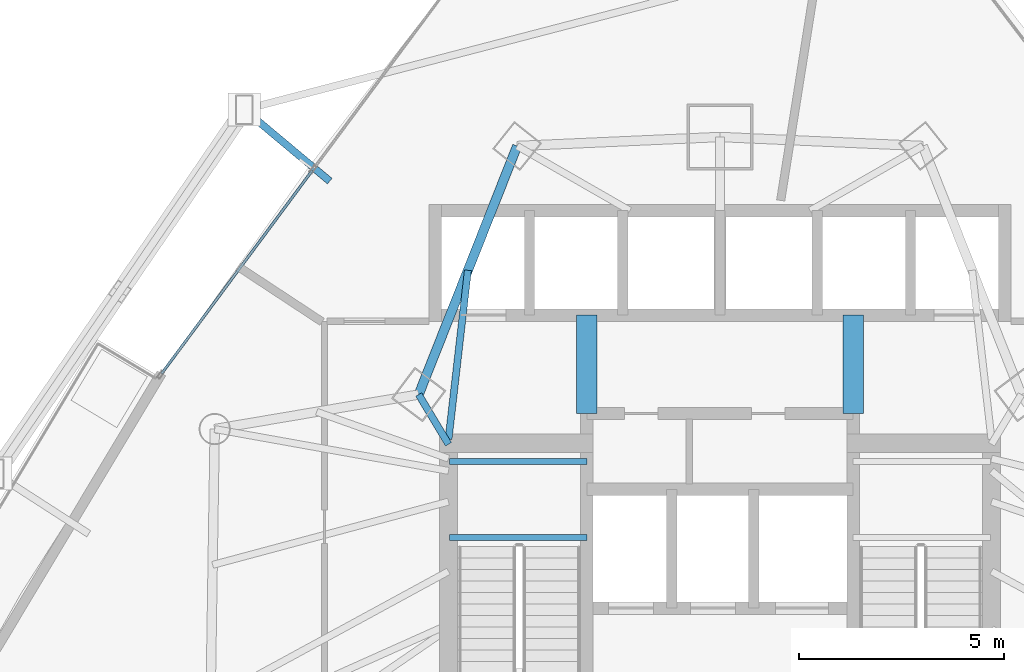
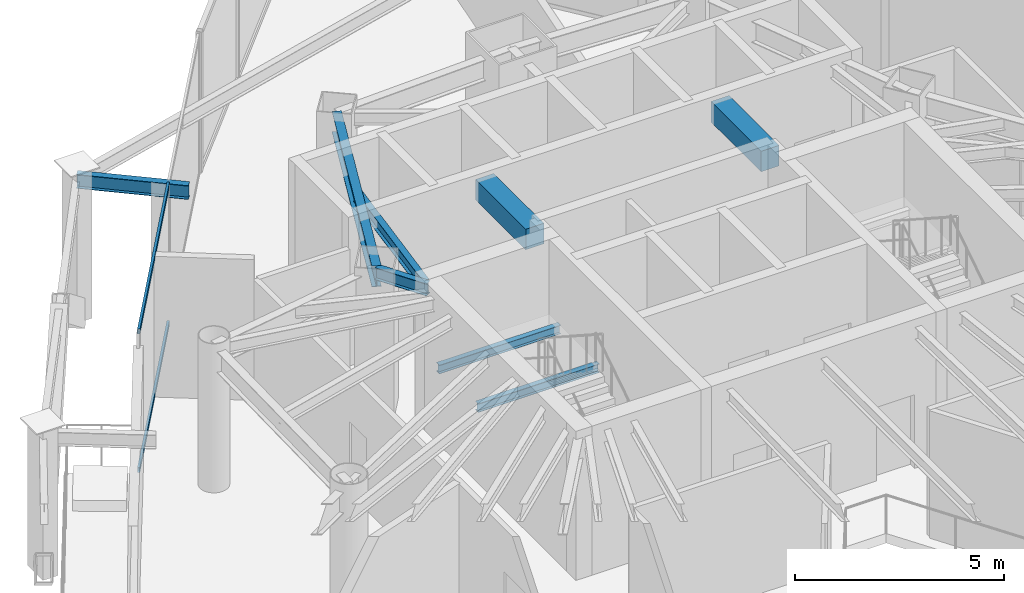
# One storey, part 20 of 33: 8 beams, 2 members, 1 element without a shape of its own.
"""IFC4 building model written with IfcOpenShell, lengths in metres."""

from ifc_helpers import new_model, si_unit, direction, frame, origin, origin_2d, place, context, subcontext, project, spatial, rectangle, hollow_rectangle, i_section, extrude, material, layer, layer_set, material_profile, profile_set, type_object, element, aggregate, save


model = new_model("IFC4")

# Units and contexts
model_context = context("Model", 3, precision=1e-05, world=origin(), true_north=direction((0.0, 1.0)))
body_context = subcontext(model_context, "Body", "Model", "MODEL_VIEW")
ifc_project = project(units=[si_unit("LENGTHUNIT", "METRE"), si_unit("AREAUNIT", "SQUARE_METRE"), si_unit("VOLUMEUNIT", "CUBIC_METRE"), si_unit("PLANEANGLEUNIT", "RADIAN"), si_unit("MASSUNIT", "GRAM", prefix="KILO")], contexts=[model_context])

# Site, building, storey
site_placement = place(None, origin())
site = spatial("IfcSite", under=ifc_project, at=site_placement, CompositionType="ELEMENT")
building_placement = place(site_placement, origin())
building = spatial("IfcBuilding", under=site, at=building_placement, Name="Orvanel Arch Residences", CompositionType="ELEMENT")
storey_placement = place(building_placement, frame((0.0, 0.0, 59.89990234375)))
storey = spatial("IfcBuildingStorey", under=building, at=storey_placement, Name="L16", CompositionType="ELEMENT", Elevation=59.89990234375)

# Beams
ifc_material_1 = material(Name="Structural steel AS/NZS 3679.1 Grade 300 (300 MPa)", Category="steel")
ifc_material_profile_1 = material_profile(ifc_material_1, i_section(OverallWidth=0.14599609375, OverallDepth=0.251953125, WebThickness=0.006103515625, FlangeThickness=0.008544921875, at=origin_2d()), Name="250UB31.4")
ifc_profile_set_1 = profile_set([ifc_material_profile_1], Name="Structural steel AS/NZS 3679.1 Grade 300 (300 MPa)")
beam_type_1 = type_object("IfcBeamType", Name="BJ-250UB", PredefinedType="JOIST", material=ifc_profile_set_1)
for number, where, z_axis, x_axis, name in (
    (1, (26.39990234375, 31.6201171875, 1.84912109375), (1.0, 0.0, 0.0), (0.0, 1.0, 0.0), "L16 ST-1 Half-Landing Support Beam 1.1"),
    (2, (26.39990234375, 33.47998046875, 1.84912109375), (1.0, 0.0, 0.0), (0.0, 1.0, 0.0), "L16 ST-1 Half-Landing Support Beam 1.2"),
):
    element("IfcBeam", number, at=place(storey_placement, frame(where, z_axis=z_axis, x_axis=x_axis)), inside=storey, type_object=beam_type_1, Name=name, PredefinedType="JOIST", context=body_context, shape_type="SweptSolid", body=[
        extrude(i_section(OverallWidth=0.14599609375, OverallDepth=0.251953125, WebThickness=0.006103515625, FlangeThickness=0.008544921875, at=origin_2d()), origin(), (0.0, 0.0, 1.0), 3.35009765625),
    ])
ifc_material_profile_2 = material_profile(ifc_material_1, i_section(OverallWidth=0.1708984375, OverallDepth=0.35595703125, WebThickness=0.00732421875, FlangeThickness=0.011474609375, at=origin_2d()), Name="360UB50.7")
ifc_profile_set_2 = profile_set([ifc_material_profile_2], Name="Structural steel AS/NZS 3679.1 Grade 300 (300 MPa)")
beam_type_2 = type_object("IfcBeamType", Name="BJ-360UB", PredefinedType="JOIST", material=ifc_profile_set_2)
beam_1_placement = place(storey_placement, frame((26.375, 33.89990234375, 3.93212890625), z_axis=(-0.514064138778, 0.857751748015, 0.0), x_axis=(-0.857751748015, -0.514064138778, 0.0)))
element("IfcBeam", 3, at=beam_1_placement, inside=storey, type_object=beam_type_2, Name="L16 NNW Wing Floor Joist", PredefinedType="JOIST", context=body_context, shape_type="SweptSolid", body=[
    extrude(i_section(OverallWidth=0.1708984375, OverallDepth=0.35595703125, WebThickness=0.00732421875, FlangeThickness=0.011474609375, at=origin_2d()), origin(), (0.0, 0.0, 1.0), 1.414306640625),
])
beam_2_placement = place(storey_placement, frame((26.375, 34.02001953125, 3.93212890625), z_axis=(0.114186670431, 0.993459311847, 0.0), x_axis=(-0.993459311847, 0.114186670431, 0.0)))
element("IfcBeam", 4, at=beam_2_placement, inside=storey, type_object=beam_type_2, Name="L16 NNW2 Wing Floor Joist", PredefinedType="JOIST", context=body_context, shape_type="SweptSolid", body=[
    extrude(i_section(OverallWidth=0.1708984375, OverallDepth=0.35595703125, WebThickness=0.00732421875, FlangeThickness=0.011474609375, at=origin_2d()), origin(), (0.0, 0.0, 1.0), 4.152099609375),
])
ifc_material_2 = material(Name="Concrete S65 (65 MPa)", Category="concrete")
ifc_material_profile_3 = material_profile(ifc_material_2, rectangle(XDim=0.5, YDim=0.60009765625, at=origin_2d()), Name="RC500x600")
ifc_profile_set_3 = profile_set([ifc_material_profile_3], Name="Concrete S65 (65 MPa)")
beam_type_3 = type_object("IfcBeamType", Name="CB-500x600", PredefinedType="LINTEL", material=ifc_profile_set_3)
for number, where, z_axis, x_axis, name in (
    (5, (29.75, 34.64990234375, 3.81005859375), (0.0, 1.0, 0.0), (-1.0, 0.0, 0.0), "L16 West Core Lobby Coupling Lintel Beam"),
    (6, (36.25, 34.64990234375, 3.81005859375), (0.0, 1.0, 0.0), (-1.0, 0.0, 0.0), "L16 East Core Lobby Coupling Lintel Beam"),
):
    element("IfcBeam", number, at=place(storey_placement, frame(where, z_axis=z_axis, x_axis=x_axis)), inside=storey, type_object=beam_type_3, Name=name, PredefinedType="LINTEL", context=body_context, shape_type="SweptSolid", body=[
        extrude(rectangle(XDim=0.5, YDim=0.60009765625, at=origin_2d()), origin(), (0.0, 0.0, 1.0), 2.400146484375),
    ])
ifc_material_profile_4 = material_profile(ifc_material_1, i_section(OverallWidth=0.177978515625, OverallDepth=0.406005859375, WebThickness=0.0078125, FlangeThickness=0.0126953125, at=origin_2d()), Name="410UB59.7")
ifc_profile_set_4 = profile_set([ifc_material_profile_4], Name="Structural steel AS/NZS 3679.1 Grade 300 (300 MPa)")
beam_type_4 = type_object("IfcBeamType", Name="OB-410UB-EXT", PredefinedType="SPANDREL", material=ifc_profile_set_4)
beam_3_placement = place(storey_placement, frame((23.47607421875, 40.321044921875, 3.906982421875), z_axis=(-0.766703204027, 0.642001711006, 0.0), x_axis=(-0.642001711006, -0.766703204027, 0.0)))
element("IfcBeam", 7, at=beam_3_placement, inside=storey, type_object=beam_type_4, Name="L16 Outer Frame Radial Tie Beam 01", PredefinedType="SPANDREL", context=body_context, shape_type="SweptSolid", body=[
    extrude(i_section(OverallWidth=0.177978515625, OverallDepth=0.406005859375, WebThickness=0.0078125, FlangeThickness=0.0126953125, at=origin_2d()), origin(), (0.0, 0.0, 1.0), 2.719482421875),
])
ifc_material_profile_5 = material_profile(ifc_material_1, i_section(OverallWidth=0.22900390625, OverallDepth=0.612060546875, WebThickness=0.011962890625, FlangeThickness=0.01953125, at=origin_2d()), Name="610UB125")
ifc_profile_set_5 = profile_set([ifc_material_profile_5], Name="Structural steel AS/NZS 3679.1 Grade 300 (300 MPa)")
beam_type_5 = type_object("IfcBeamType", Name="SP-610UB", PredefinedType="SPANDREL", material=ifc_profile_set_5)
beam_4_placement = place(storey_placement, frame((28.050048828125, 41.177978515625, 3.80419921875), z_axis=(-0.368233143579, -0.929733484376, 0.0), x_axis=(0.929733484376, -0.368233143579, 0.0)))
element("IfcBeam", 8, at=beam_4_placement, inside=storey, type_object=beam_type_5, Name="L16 Perimeter Spandrel Beam 18", PredefinedType="SPANDREL", context=body_context, shape_type="SweptSolid", body=[
    extrude(i_section(OverallWidth=0.22900390625, OverallDepth=0.612060546875, WebThickness=0.011962890625, FlangeThickness=0.01953125, at=origin_2d()), origin(), (0.0, 0.0, 1.0), 6.523193359375),
])

# Curtain wall, members
ifc_material_3 = material(Name="Bronze-anodised aluminium AA6063-T6", Category="aluminium")
ifc_layer = layer(ifc_material_3, 0.195068359375)
ifc_layer_set = layer_set([ifc_layer], Name="Bronze-anodised aluminium AA6063-T6")
curtain_wall_type = type_object("IfcCurtainWallType", Name="CW6-COM-SYS", PredefinedType="NOTDEFINED", material=ifc_layer_set)
curtain_wall_placement = place(storey_placement, origin())
curtain_wall = element("IfcCurtainWall", 9, at=curtain_wall_placement, inside=storey, type_object=curtain_wall_type, Name="L16 CW6-COM-SYS Unitised Curtain Wall", PredefinedType="NOTDEFINED")
ifc_material_profile_6 = material_profile(ifc_material_3, hollow_rectangle(XDim=0.06494140625, YDim=0.14990234375, WallThickness=0.00390625, at=origin_2d()), Name="ALU150x65x4")
ifc_profile_set_6 = profile_set([ifc_material_profile_6], Name="Bronze-anodised aluminium AA6063-T6")
member_type = type_object("IfcMemberType", Name="TRN-150x65", PredefinedType="USERDEFINED", material=ifc_profile_set_6)
member_1_placement = place(storey_placement, frame((23.048095703125, 40.577392578125, 0.03271484375), z_axis=(-0.595759597122, -0.803162811911, 0.0), x_axis=(0.803162811911, -0.595759597122, 0.0)))
member_1 = element("IfcMember", 10, at=member_1_placement, type_object=member_type, Name="CW-S6 transom 2.1", ObjectType="TRANSOM", PredefinedType="USERDEFINED", context=body_context, shape_type="SweptSolid", body=[
    extrude(hollow_rectangle(XDim=0.06494140625, YDim=0.14990234375, WallThickness=0.00390625, at=origin_2d()), origin(), (0.0, 0.0, 1.0), 6.165771484375),
])
member_2_placement = place(storey_placement, frame((23.048095703125, 40.577392578125, 4.07763671875), z_axis=(-0.595759597122, -0.803162811911, 0.0), x_axis=(0.803162811911, -0.595759597122, 0.0)))
member_2 = element("IfcMember", 11, at=member_2_placement, type_object=member_type, Name="CW-S6 transom 2.2", ObjectType="TRANSOM", PredefinedType="USERDEFINED", context=body_context, shape_type="SweptSolid", body=[
    extrude(hollow_rectangle(XDim=0.06494140625, YDim=0.14990234375, WallThickness=0.00390625, at=origin_2d()), origin(), (0.0, 0.0, 1.0), 6.165771484375),
])
aggregate(curtain_wall, [member_1, member_2])

save(model, "model.ifc")
